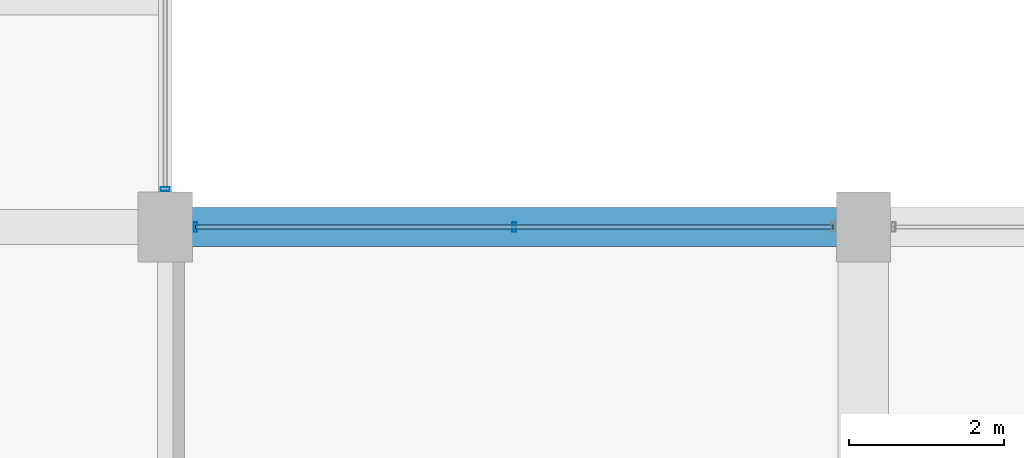
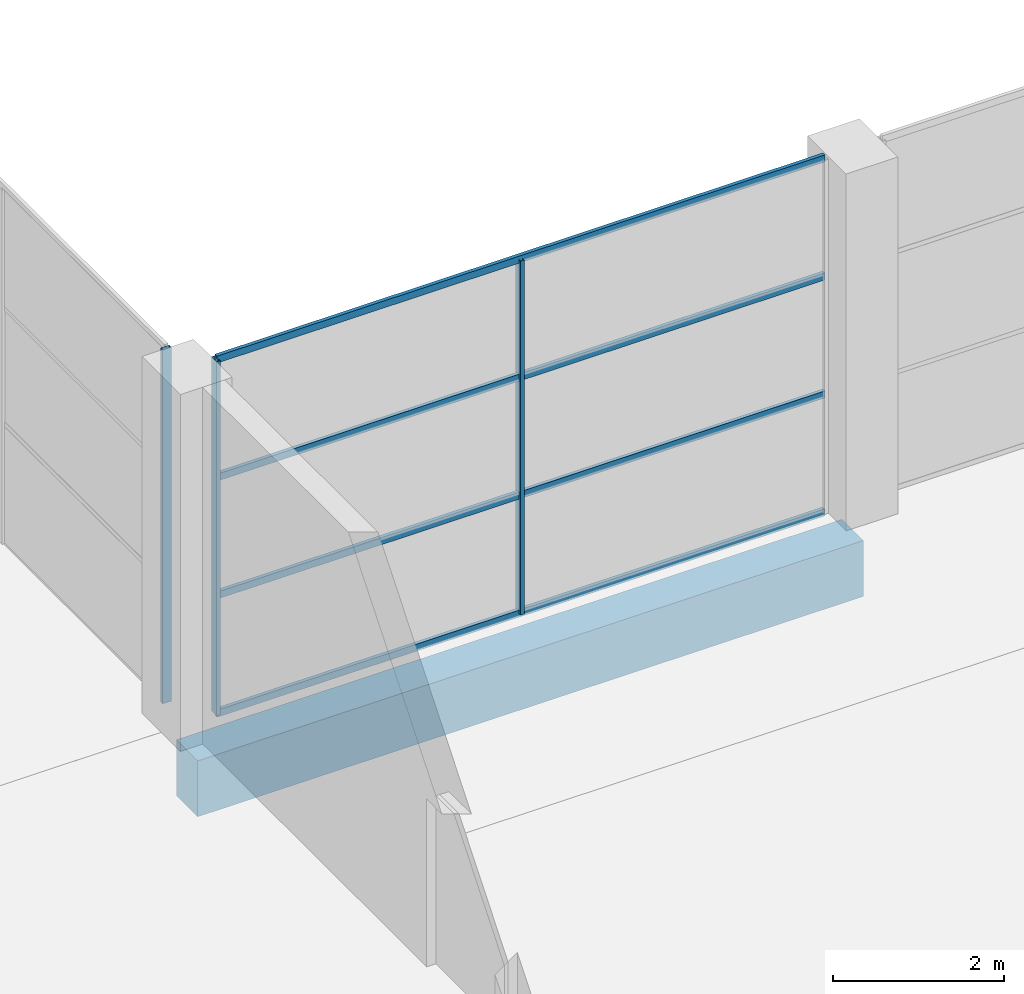
# One storey, part 44 of 90: 7 members, 1 beam, 2 elements without a shape of their own.
"""IFC4 building model written with IfcOpenShell, lengths in metres."""

from ifc_helpers import new_model, si_unit, direction, frame, origin, origin_2d, place, context, subcontext, project, spatial, rectangle, hollow_rectangle, extrude, material, material_profile, profile_set, type_object, element, aggregate, save


model = new_model("IFC4")

# Units and contexts
model_context = context("Model", 3, precision=1e-05, world=origin(), true_north=direction((0.0, 1.0)))
body_context = subcontext(model_context, "Body", "Model", "MODEL_VIEW")
ifc_project = project(units=[si_unit("LENGTHUNIT", "METRE"), si_unit("AREAUNIT", "SQUARE_METRE"), si_unit("VOLUMEUNIT", "CUBIC_METRE"), si_unit("PLANEANGLEUNIT", "RADIAN"), si_unit("MASSUNIT", "GRAM", prefix="KILO")], contexts=[model_context])

# Site, building, storey
site_placement = place(None, origin())
site = spatial("IfcSite", under=ifc_project, at=site_placement, CompositionType="ELEMENT")
building_placement = place(site_placement, origin())
building = spatial("IfcBuilding", under=site, at=building_placement, Name="Solvikara Media Centre", CompositionType="ELEMENT")
storey_placement = place(building_placement, origin())
storey = spatial("IfcBuildingStorey", under=building, at=storey_placement, Name="L00", CompositionType="ELEMENT", Elevation=0.0)

# Beam
ifc_material_1 = material(Name="Concrete fc' 35 MPa (C35/45)", Category="concrete")
ifc_material_profile_1 = material_profile(ifc_material_1, rectangle(XDim=0.5, YDim=0.800048828125, at=origin_2d()), Name="RC 500x800")
ifc_profile_set_1 = profile_set([ifc_material_profile_1], Name="Concrete fc' 35 MPa (C35/45)")
beam_type = type_object("IfcBeamType", Name="BM-07", PredefinedType="BEAM", material=ifc_profile_set_1)
beam_placement = place(storey_placement, frame((136.5, 72.0, -0.780029296875), z_axis=(1.0, 0.0, 0.0), x_axis=(0.0, 1.0, 0.0)))
element("IfcBeam", 1, at=beam_placement, inside=storey, type_object=beam_type, Name="B-L00-X0079", PredefinedType="BEAM", context=body_context, shape_type="SweptSolid", body=[
    extrude(rectangle(XDim=0.5, YDim=0.800048828125, at=origin_2d()), origin(), (0.0, 0.0, 1.0), 9.0),
])

# Curtain wall, members
ifc_material_2 = material(Name="Anodised aluminium EN AW-6063", Category="aluminium")
curtain_wall_type = type_object("IfcCurtainWallType", Name="CW-12", PredefinedType="NOTDEFINED", material=ifc_material_2)
curtain_wall_1_placement = place(storey_placement, origin())
curtain_wall_1 = element("IfcCurtainWall", 2, at=curtain_wall_1_placement, inside=storey, type_object=curtain_wall_type, Name="CW-L00-CRT-1-S1", PredefinedType="NOTDEFINED")
ifc_material_profile_2 = material_profile(ifc_material_2, hollow_rectangle(XDim=0.050048828125, YDim=0.1201171875, WallThickness=0.0029296875, at=origin_2d()), Name="ALU-M 50x120x3")
ifc_profile_set_2 = profile_set([ifc_material_profile_2], Name="Anodised aluminium EN AW-6063")
member_type_1 = type_object("IfcMemberType", Name="MF-06", PredefinedType="MULLION", material=ifc_profile_set_2)
member_1_placement = place(storey_placement, frame((136.889892578125, 72.0, 0.02001953125), z_axis=(0.0, 0.0, 1.0), x_axis=(1.0, 0.0, 0.0)))
member_1 = element("IfcMember", 3, at=member_1_placement, type_object=member_type_1, Name="CW-L00-CRT-1-S1-M00", PredefinedType="MULLION", context=body_context, shape_type="SweptSolid", body=[
    extrude(hollow_rectangle(XDim=0.050048828125, YDim=0.1201171875, WallThickness=0.0029296875, at=origin_2d()), origin(), (0.0, 0.0, 1.0), 5.06005859375),
])
member_2_placement = place(storey_placement, frame((141.0, 72.0, 0.02001953125), z_axis=(0.0, 0.0, 1.0), x_axis=(1.0, 0.0, 0.0)))
member_2 = element("IfcMember", 4, at=member_2_placement, type_object=member_type_1, Name="CW-L00-CRT-1-S1-M01", PredefinedType="MULLION", context=body_context, shape_type="SweptSolid", body=[
    extrude(hollow_rectangle(XDim=0.050048828125, YDim=0.1201171875, WallThickness=0.0029296875, at=origin_2d()), origin(), (0.0, 0.0, 1.0), 5.06005859375),
])

# Curtain wall, member
curtain_wall_2_placement = place(storey_placement, origin())
curtain_wall_2 = element("IfcCurtainWall", 5, at=curtain_wall_2_placement, inside=storey, type_object=curtain_wall_type, Name="CW-L00-CRT-4-S2", PredefinedType="NOTDEFINED")
member_3_placement = place(storey_placement, frame((136.5, 72.489990234375, 0.02001953125), z_axis=(0.0, 0.0, 1.0), x_axis=(0.0, -1.0, 0.0)))
member_3 = element("IfcMember", 6, at=member_3_placement, type_object=member_type_1, Name="CW-L00-CRT-4-S2-M02", PredefinedType="MULLION", context=body_context, shape_type="SweptSolid", body=[
    extrude(hollow_rectangle(XDim=0.050048828125, YDim=0.1201171875, WallThickness=0.0029296875, at=origin_2d()), origin(), (0.0, 0.0, 1.0), 5.06005859375),
])
aggregate(curtain_wall_2, [member_3])

# Member
ifc_material_profile_3 = material_profile(ifc_material_2, hollow_rectangle(XDim=0.050048828125, YDim=0.10009765625, WallThickness=0.0029296875, at=origin_2d()), Name="ALU-T 50x100x3")
ifc_profile_set_3 = profile_set([ifc_material_profile_3], Name="Anodised aluminium EN AW-6063")
member_type_2 = type_object("IfcMemberType", Name="MF-12", PredefinedType="USERDEFINED", material=ifc_profile_set_3)
member_4_placement = place(storey_placement, frame((136.889892578125, 72.0, 0.02001953125), z_axis=(1.0, 0.0, 0.0), x_axis=(0.0, 1.0, 0.0)))
member_4 = element("IfcMember", 7, at=member_4_placement, type_object=member_type_2, Name="CW-L00-CRT-1-S1-T00", ObjectType="TRANSOM", PredefinedType="USERDEFINED", context=body_context, shape_type="SweptSolid", body=[
    extrude(hollow_rectangle(XDim=0.050048828125, YDim=0.10009765625, WallThickness=0.0029296875, at=origin_2d()), origin(), (0.0, 0.0, 1.0), 8.22021484375),
])

member_5_placement = place(storey_placement, frame((136.889892578125, 72.0, 1.70703125), z_axis=(1.0, 0.0, 0.0), x_axis=(0.0, 1.0, 0.0)))
member_5 = element("IfcMember", 8, at=member_5_placement, type_object=member_type_2, Name="CW-L00-CRT-1-S1-T01", ObjectType="TRANSOM", PredefinedType="USERDEFINED", context=body_context, shape_type="SweptSolid", body=[
    extrude(hollow_rectangle(XDim=0.050048828125, YDim=0.10009765625, WallThickness=0.0029296875, at=origin_2d()), origin(), (0.0, 0.0, 1.0), 8.22021484375),
])

member_6_placement = place(storey_placement, frame((136.889892578125, 72.0, 3.39306640625), z_axis=(1.0, 0.0, 0.0), x_axis=(0.0, 1.0, 0.0)))
member_6 = element("IfcMember", 9, at=member_6_placement, type_object=member_type_2, Name="CW-L00-CRT-1-S1-T02", ObjectType="TRANSOM", PredefinedType="USERDEFINED", context=body_context, shape_type="SweptSolid", body=[
    extrude(hollow_rectangle(XDim=0.050048828125, YDim=0.10009765625, WallThickness=0.0029296875, at=origin_2d()), origin(), (0.0, 0.0, 1.0), 8.22021484375),
])

member_7_placement = place(storey_placement, frame((136.889892578125, 72.0, 5.080078125), z_axis=(1.0, 0.0, 0.0), x_axis=(0.0, 1.0, 0.0)))
member_7 = element("IfcMember", 10, at=member_7_placement, type_object=member_type_2, Name="CW-L00-CRT-1-S1-T03", ObjectType="TRANSOM", PredefinedType="USERDEFINED", context=body_context, shape_type="SweptSolid", body=[
    extrude(hollow_rectangle(XDim=0.050048828125, YDim=0.10009765625, WallThickness=0.0029296875, at=origin_2d()), origin(), (0.0, 0.0, 1.0), 8.22021484375),
])

aggregate(curtain_wall_1, [member_1, member_2, member_4, member_5, member_6, member_7])

save(model, "model.ifc")
